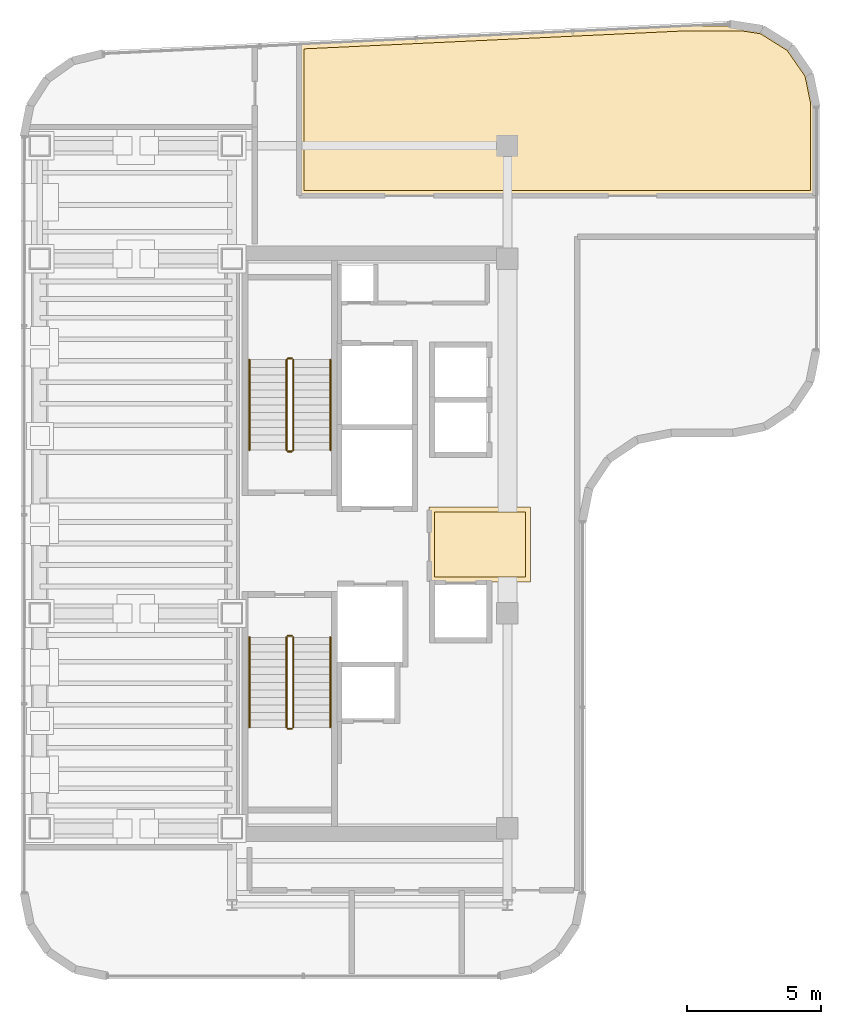
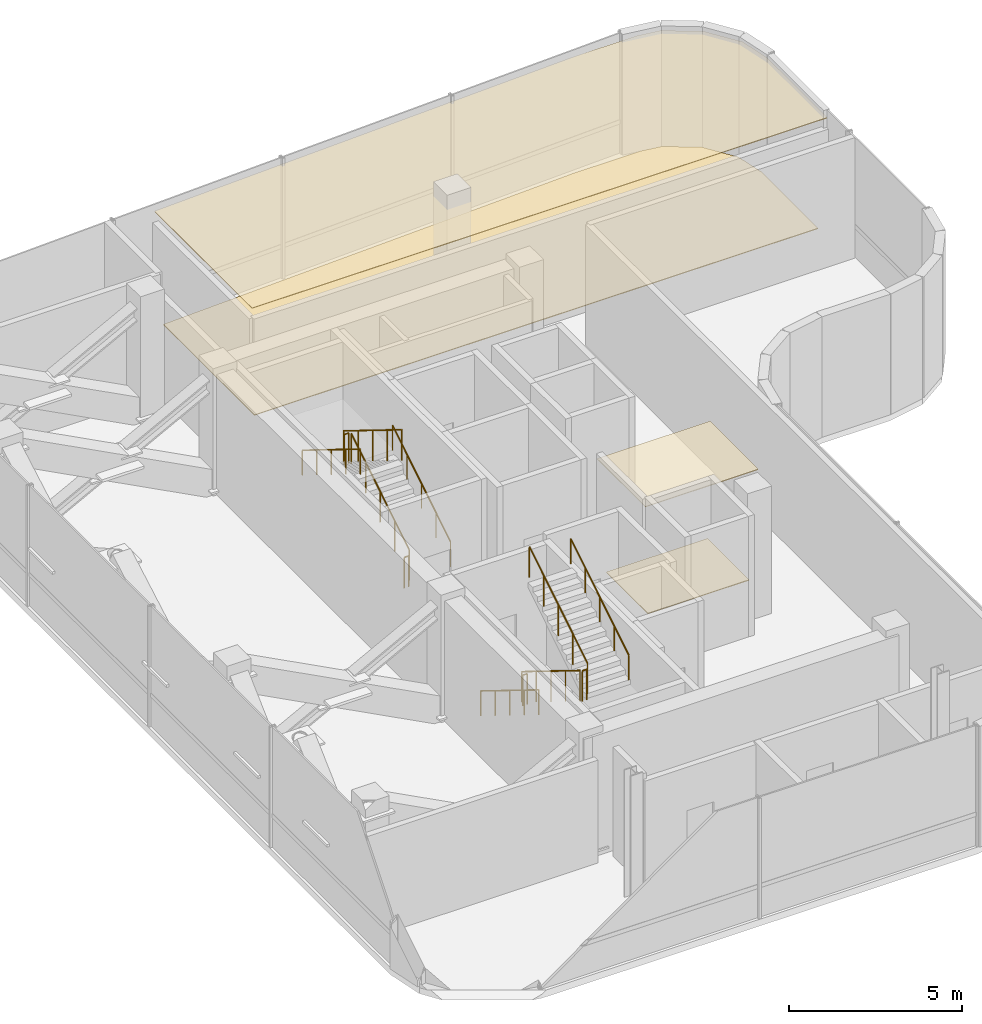
# One storey, part 19 of 19: 12 railings, 4 coverings.
"""IFC4 building model written with IfcOpenShell, lengths in metres."""

from ifc_helpers import new_model, si_unit, direction, frame, origin, origin_2d, place, context, subcontext, project, spatial, polyline, circle, outline, extrude, material, layer, layer_set, type_object, element, save


model = new_model("IFC4")

# Units and contexts
model_context = context("Model", 3, precision=1e-05, world=origin(), true_north=direction((0.0, 1.0)))
body_context = subcontext(model_context, "Body", "Model", "MODEL_VIEW")
ifc_project = project(units=[si_unit("LENGTHUNIT", "METRE"), si_unit("AREAUNIT", "SQUARE_METRE"), si_unit("VOLUMEUNIT", "CUBIC_METRE"), si_unit("PLANEANGLEUNIT", "RADIAN"), si_unit("MASSUNIT", "GRAM", prefix="KILO")], contexts=[model_context])

# Site, building, storey
site_placement = place(None, origin())
site = spatial("IfcSite", under=ifc_project, at=site_placement, CompositionType="ELEMENT")
building_placement = place(site_placement, origin())
building = spatial("IfcBuilding", under=site, at=building_placement, Name="Valdorenza Pilgrim Sanctuary Tower", CompositionType="ELEMENT")
storey_placement = place(building_placement, frame((0.0, 0.0, 261.5)))
storey = spatial("IfcBuildingStorey", under=building, at=storey_placement, Name="L68", CompositionType="ELEMENT", Elevation=261.5)

# Coverings
ifc_material_1 = material(Name="Micro-perforated acoustic mineral ceiling tile", Category="gypsum")
ifc_layer_1 = layer(ifc_material_1, 0.02490234375, Name="Micro-perforated acoustic mineral ceiling tile")
ifc_layer_set_1 = layer_set([ifc_layer_1], Name="Micro-perforated acoustic mineral ceiling tile")
covering_type_1 = type_object("IfcCoveringType", Name="COV-CLG-ACU", PredefinedType="CEILING", material=ifc_layer_set_1)
covering_1_placement = place(storey_placement, frame((0.0, 0.0, 3.9599609375)))
element("IfcCovering", 1, at=covering_1_placement, inside=storey, type_object=covering_type_1, Name="L68 Core A Passenger Lift Lobby Acoustic Ceiling", PredefinedType="CEILING", context=body_context, shape_type="SweptSolid", body=[
    extrude(outline(polyline([(-15.31494140625, 1.35009765625), (-15.31494140625, 1.3515625), (-15.314697265625, 1.352783203125), (-15.314453125, 1.3544921875), (-15.31396484375, 1.355712890625), (-15.313232421875, 1.357177734375), (-15.3125, 1.3583984375), (-15.3115234375, 1.359619140625), (-15.310546875, 1.360595703125), (-15.3095703125, 1.361572265625), (-15.308349609375, 1.362548828125), (-15.30712890625, 1.36328125), (-15.3056640625, 1.364013671875), (-15.304443359375, 1.364501953125), (-15.302978515625, 1.36474609375), (-15.301513671875, 1.364990234375), (-15.300048828125, 1.364990234375), (-11.550048828125, 1.364990234375), (-11.548583984375, 1.364990234375), (-11.547119140625, 1.36474609375), (-11.545654296875, 1.364501953125), (-11.544189453125, 1.364013671875), (-11.54296875, 1.36328125), (-11.541748046875, 1.362548828125), (-11.54052734375, 1.361572265625), (-11.539306640625, 1.360595703125), (-11.538330078125, 1.359619140625), (-11.53759765625, 1.3583984375), (-11.536865234375, 1.357177734375), (-11.5361328125, 1.355712890625), (-11.53564453125, 1.3544921875), (-11.535400390625, 1.352783203125), (-11.53515625, 1.3515625), (-11.534912109375, 1.35009765625), (-11.534912109375, -1.419921875), (-11.53515625, -1.42138671875), (-11.535400390625, -1.4228515625), (-11.53564453125, -1.42431640625), (-11.5361328125, -1.42578125), (-11.536865234375, -1.427001953125), (-11.53759765625, -1.42822265625), (-11.538330078125, -1.429443359375), (-11.539306640625, -1.4306640625), (-11.54052734375, -1.431640625), (-11.541748046875, -1.4326171875), (-11.54296875, -1.43310546875), (-11.544189453125, -1.433837890625), (-11.545654296875, -1.434326171875), (-11.547119140625, -1.434814453125), (-11.548583984375, -1.434814453125), (-11.550048828125, -1.43505859375), (-15.298095703125, -1.43505859375), (-15.299560546875, -1.434814453125), (-15.30078125, -1.434814453125), (-15.302490234375, -1.434326171875), (-15.3037109375, -1.433837890625), (-15.30517578125, -1.43310546875), (-15.306396484375, -1.4326171875), (-15.3076171875, -1.431640625), (-15.30859375, -1.4306640625), (-15.3095703125, -1.429443359375), (-15.310546875, -1.42822265625), (-15.311279296875, -1.427001953125), (-15.31201171875, -1.42578125), (-15.3125, -1.42431640625), (-15.312744140625, -1.4228515625), (-15.31298828125, -1.42138671875), (-15.31298828125, -1.419921875), (-15.31298828125, 1.244384765625), (-15.31298828125, 1.24462890625), (-15.313720703125, 1.24609375), (-15.314208984375, 1.24755859375), (-15.314697265625, 1.2490234375), (-15.31494140625, 1.25048828125), (-15.31494140625, 1.251953125), (-15.31494140625, 1.35009765625)])), origin(), (0.0, 0.0, 1.0), 0.025146484375),
])
covering_2_placement = place(storey_placement, frame((0.0, 0.0, 3.9599609375)))
element("IfcCovering", 2, at=covering_2_placement, inside=storey, type_object=covering_type_1, Name="L68 Primary Smokeproof Refuge Area Acoustic Ceiling", PredefinedType="CEILING", context=body_context, shape_type="SweptSolid", body=[
    extrude(outline(polyline([(-20.14990234375, 12.93505859375), (-20.151611328125, 12.93505859375), (-20.15283203125, 12.935302734375), (-20.154296875, 12.935546875), (-20.15576171875, 12.93603515625), (-20.156982421875, 12.936767578125), (-20.158203125, 12.9375), (-20.159423828125, 12.9384765625), (-20.16064453125, 12.939453125), (-20.16162109375, 12.9404296875), (-20.16259765625, 12.941650390625), (-20.1630859375, 12.94287109375), (-20.163818359375, 12.9443359375), (-20.164306640625, 12.945556640625), (-20.164794921875, 12.947021484375), (-20.164794921875, 12.948486328125), (-20.1650390625, 12.949951171875), (-20.1650390625, 18.57763671875), (-20.164794921875, 18.5791015625), (-20.164794921875, 18.58056640625), (-20.164306640625, 18.58203125), (-20.163818359375, 18.583251953125), (-20.163330078125, 18.584716796875), (-20.16259765625, 18.5859375), (-20.161865234375, 18.5869140625), (-20.160888671875, 18.588134765625), (-20.159912109375, 18.589111328125), (-20.15869140625, 18.590087890625), (-20.157470703125, 18.5908203125), (-20.15625, 18.59130859375), (-20.15478515625, 18.591796875), (-20.153564453125, 18.59228515625), (-20.152099609375, 18.592529296875), (-20.150634765625, 18.5927734375), (-5.890380859375, 19.264892578125), (-5.8896484375, 19.264892578125), (-3.634521484375, 19.264892578125), (-3.63330078125, 19.264892578125), (-3.632080078125, 19.264892578125), (-2.91748046875, 19.153076171875), (-2.916015625, 19.152587890625), (-2.91455078125, 19.15234375), (-2.9130859375, 19.151611328125), (-2.911865234375, 19.15087890625), (-1.860595703125, 18.492431640625), (-1.859619140625, 18.49169921875), (-1.8583984375, 18.490478515625), (-1.857421875, 18.489501953125), (-1.8564453125, 18.48828125), (-1.149169921875, 17.46923828125), (-1.148193359375, 17.468017578125), (-1.147705078125, 17.466552734375), (-1.147216796875, 17.465087890625), (-1.146728515625, 17.463623046875), (-0.935302734375, 16.4326171875), (-0.93505859375, 16.430908203125), (-0.93505859375, 16.429443359375), (-0.93505859375, 12.949951171875), (-0.93505859375, 12.948486328125), (-0.935302734375, 12.947021484375), (-0.935546875, 12.945556640625), (-0.93603515625, 12.9443359375), (-0.936767578125, 12.94287109375), (-0.9375, 12.941650390625), (-0.9384765625, 12.9404296875), (-0.939453125, 12.939453125), (-0.9404296875, 12.9384765625), (-0.941650390625, 12.9375), (-0.94287109375, 12.936767578125), (-0.9443359375, 12.93603515625), (-0.945556640625, 12.935546875), (-0.947021484375, 12.935302734375), (-0.948486328125, 12.93505859375), (-0.949951171875, 12.93505859375), (-20.14990234375, 12.93505859375)])), origin(), (0.0, 0.0, 1.0), 0.025146484375),
])
ifc_material_2 = material(Name="Honed travertine stone flooring", Category="masonry")
ifc_layer_2 = layer(ifc_material_2, 0.030029296875, Name="Honed travertine stone flooring")
ifc_layer_set_2 = layer_set([ifc_layer_2], Name="Honed travertine stone flooring")
covering_type_2 = type_object("IfcCoveringType", Name="COV-FLR-TRV", PredefinedType="FLOORING", material=ifc_layer_set_2)
covering_3_placement = place(storey_placement, origin())
element("IfcCovering", 3, at=covering_3_placement, inside=storey, type_object=covering_type_2, Name="L68 Core A Passenger Lift Lobby Flooring", PredefinedType="FLOORING", context=body_context, shape_type="SweptSolid", body=[
    extrude(outline(polyline([(-15.117919921875, 1.169921875), (-11.72998046875, 1.169921875), (-11.72998046875, -1.239990234375), (-15.117919921875, -1.239990234375), (-15.117919921875, 1.169921875)])), origin(), (0.0, 0.0, 1.0), 0.02490234375),
])
covering_4_placement = place(storey_placement, origin())
element("IfcCovering", 4, at=covering_4_placement, inside=storey, type_object=covering_type_2, Name="L68 Primary Smokeproof Refuge Area Flooring", PredefinedType="FLOORING", context=body_context, shape_type="SweptSolid", body=[
    extrude(outline(polyline([(-19.969970703125, 13.1298828125), (-19.969970703125, 18.406005859375), (-5.885498046875, 19.070068359375), (-3.6484375, 19.070068359375), (-2.984130859375, 18.966064453125), (-1.99560546875, 18.3466796875), (-1.330322265625, 17.388427734375), (-1.1298828125, 16.411376953125), (-1.1298828125, 13.1298828125), (-19.969970703125, 13.1298828125)])), origin(), (0.0, 0.0, 1.0), 0.02490234375),
])

# Railings
ifc_material_3 = material(Name="Stainless steel Grade 316", Category="steel")
railing_type_1 = type_object("IfcRailingType", Name="RLG-GRD-1120", PredefinedType="GUARDRAIL", material=ifc_material_3)
railing_1_placement = place(storey_placement, frame((-20.3701171875, 3.47998046875, 0.173095703125)))
element("IfcRailing", 5, at=railing_1_placement, inside=storey, type_object=railing_type_1, Name="L68 ST-A1 stair guard 1", PredefinedType="GUARDRAIL", context=body_context, shape_type="SweptSolid", body=[
    extrude(circle(Radius=0.02392578125, at=origin_2d()), frame((0.0, 0.0, 1.076171875), z_axis=(0.0, 0.850623216509, 0.525775754039), x_axis=(-1.0, 0.0, 0.0)), (0.0, 0.0, 1.0), 3.9501953125),
    extrude(circle(Radius=0.02099609375, at=origin_2d()), origin(), (0.0, 0.0, 1.0), 1.052001953125),
    extrude(circle(Radius=0.02099609375, at=origin_2d()), frame((0.0, 0.840087890625, 0.519287109375)), (0.0, 0.0, 1.0), 1.052001953125),
    extrude(circle(Radius=0.02099609375, at=origin_2d()), frame((0.0, 1.68017578125, 1.03857421875)), (0.0, 0.0, 1.0), 1.052001953125),
    extrude(circle(Radius=0.02099609375, at=origin_2d()), frame((0.0, 2.52001953125, 1.5576171875)), (0.0, 0.0, 1.0), 1.052001953125),
    extrude(circle(Radius=0.02099609375, at=origin_2d()), frame((0.0, 3.360107421875, 2.076904296875)), (0.0, 0.0, 1.0), 1.052001953125),
])
railing_2_placement = place(storey_placement, frame((-20.419921875, 6.889892578125, 2.25)))
element("IfcRailing", 6, at=railing_2_placement, inside=storey, type_object=railing_type_1, Name="L68 ST-A1 stair guard 2", PredefinedType="GUARDRAIL", context=body_context, shape_type="SweptSolid", body=[
    extrude(circle(Radius=0.02392578125, at=origin_2d()), frame((0.0, 0.0, 1.076171875), z_axis=(-1.0, 0.0, 0.0), x_axis=(0.0, -1.0, 0.0)), (0.0, 0.0, 1.0), 0.150146484375),
    extrude(circle(Radius=0.02099609375, at=origin_2d()), origin(), (0.0, 0.0, 1.0), 1.052001953125),
    extrude(circle(Radius=0.02099609375, at=origin_2d()), frame((-0.150146484375, 0.0, 0.0)), (0.0, 0.0, 1.0), 1.052001953125),
])
railing_3_placement = place(storey_placement, frame((-20.6201171875, 6.840087890625, 2.423095703125)))
element("IfcRailing", 7, at=railing_3_placement, inside=storey, type_object=railing_type_1, Name="L68 ST-A1 stair guard 3", PredefinedType="GUARDRAIL", context=body_context, shape_type="SweptSolid", body=[
    extrude(circle(Radius=0.02392578125, at=origin_2d()), frame((0.0, 0.0, 1.076171875), z_axis=(0.0, -0.850623216509, 0.525775754039), x_axis=(1.0, 0.0, 0.0)), (0.0, 0.0, 1.0), 3.9501953125),
    extrude(circle(Radius=0.02099609375, at=origin_2d()), origin(), (0.0, 0.0, 1.0), 1.052001953125),
    extrude(circle(Radius=0.02099609375, at=origin_2d()), frame((0.0, -0.840087890625, 0.519287109375)), (0.0, 0.0, 1.0), 1.052001953125),
    extrude(circle(Radius=0.02099609375, at=origin_2d()), frame((0.0, -1.68017578125, 1.03857421875)), (0.0, 0.0, 1.0), 1.052001953125),
    extrude(circle(Radius=0.02099609375, at=origin_2d()), frame((0.0, -2.52001953125, 1.5576171875)), (0.0, 0.0, 1.0), 1.052001953125),
    extrude(circle(Radius=0.02099609375, at=origin_2d()), frame((0.0, -3.360107421875, 2.076904296875)), (0.0, 0.0, 1.0), 1.052001953125),
])
railing_4_placement = place(storey_placement, frame((-20.419921875, 3.429931640625, 0.0)))
element("IfcRailing", 8, at=railing_4_placement, inside=storey, type_object=railing_type_1, Name="L68 ST-A1 stair guard 4", PredefinedType="GUARDRAIL", context=body_context, shape_type="SweptSolid", body=[
    extrude(circle(Radius=0.02392578125, at=origin_2d()), frame((0.0, 0.0, 1.076171875), z_axis=(-1.0, 0.0, 0.0), x_axis=(0.0, -1.0, 0.0)), (0.0, 0.0, 1.0), 0.150146484375),
    extrude(circle(Radius=0.02099609375, at=origin_2d()), origin(), (0.0, 0.0, 1.0), 1.052001953125),
    extrude(circle(Radius=0.02099609375, at=origin_2d()), frame((-0.150146484375, 0.0, 0.0)), (0.0, 0.0, 1.0), 1.052001953125),
])
railing_5_placement = place(storey_placement, frame((-20.6201171875, -3.47998046875, 0.173095703125)))
element("IfcRailing", 9, at=railing_5_placement, inside=storey, type_object=railing_type_1, Name="L68 ST-A2 stair guard 1", PredefinedType="GUARDRAIL", context=body_context, shape_type="SweptSolid", body=[
    extrude(circle(Radius=0.02392578125, at=origin_2d()), frame((0.0, 0.0, 1.076171875), z_axis=(0.0, -0.850623216509, 0.525775754039), x_axis=(1.0, 0.0, 0.0)), (0.0, 0.0, 1.0), 3.9501953125),
    extrude(circle(Radius=0.02099609375, at=origin_2d()), origin(), (0.0, 0.0, 1.0), 1.052001953125),
    extrude(circle(Radius=0.02099609375, at=origin_2d()), frame((0.0, -0.840087890625, 0.519287109375)), (0.0, 0.0, 1.0), 1.052001953125),
    extrude(circle(Radius=0.02099609375, at=origin_2d()), frame((0.0, -1.68017578125, 1.03857421875)), (0.0, 0.0, 1.0), 1.052001953125),
    extrude(circle(Radius=0.02099609375, at=origin_2d()), frame((0.0, -2.52001953125, 1.5576171875)), (0.0, 0.0, 1.0), 1.052001953125),
    extrude(circle(Radius=0.02099609375, at=origin_2d()), frame((0.0, -3.360107421875, 2.076904296875)), (0.0, 0.0, 1.0), 1.052001953125),
])
railing_6_placement = place(storey_placement, frame((-20.570068359375, -6.889892578125, 2.25)))
element("IfcRailing", 10, at=railing_6_placement, inside=storey, type_object=railing_type_1, Name="L68 ST-A2 stair guard 2", PredefinedType="GUARDRAIL", context=body_context, shape_type="SweptSolid", body=[
    extrude(circle(Radius=0.02392578125, at=origin_2d()), frame((0.0, 0.0, 1.076171875), z_axis=(1.0, 0.0, 0.0), x_axis=(0.0, 1.0, 0.0)), (0.0, 0.0, 1.0), 0.150146484375),
    extrude(circle(Radius=0.02099609375, at=origin_2d()), origin(), (0.0, 0.0, 1.0), 1.052001953125),
    extrude(circle(Radius=0.02099609375, at=origin_2d()), frame((0.150146484375, 0.0, 0.0)), (0.0, 0.0, 1.0), 1.052001953125),
])
railing_7_placement = place(storey_placement, frame((-20.3701171875, -6.840087890625, 2.423095703125)))
element("IfcRailing", 11, at=railing_7_placement, inside=storey, type_object=railing_type_1, Name="L68 ST-A2 stair guard 3", PredefinedType="GUARDRAIL", context=body_context, shape_type="SweptSolid", body=[
    extrude(circle(Radius=0.02392578125, at=origin_2d()), frame((0.0, 0.0, 1.076171875), z_axis=(0.0, 0.850623216509, 0.525775754039), x_axis=(-1.0, 0.0, 0.0)), (0.0, 0.0, 1.0), 3.9501953125),
    extrude(circle(Radius=0.02099609375, at=origin_2d()), origin(), (0.0, 0.0, 1.0), 1.052001953125),
    extrude(circle(Radius=0.02099609375, at=origin_2d()), frame((0.0, 0.840087890625, 0.519287109375)), (0.0, 0.0, 1.0), 1.052001953125),
    extrude(circle(Radius=0.02099609375, at=origin_2d()), frame((0.0, 1.68017578125, 1.03857421875)), (0.0, 0.0, 1.0), 1.052001953125),
    extrude(circle(Radius=0.02099609375, at=origin_2d()), frame((0.0, 2.52001953125, 1.5576171875)), (0.0, 0.0, 1.0), 1.052001953125),
    extrude(circle(Radius=0.02099609375, at=origin_2d()), frame((0.0, 3.360107421875, 2.076904296875)), (0.0, 0.0, 1.0), 1.052001953125),
])
railing_8_placement = place(storey_placement, frame((-20.570068359375, -3.429931640625, 0.0)))
element("IfcRailing", 12, at=railing_8_placement, inside=storey, type_object=railing_type_1, Name="L68 ST-A2 stair guard 4", PredefinedType="GUARDRAIL", context=body_context, shape_type="SweptSolid", body=[
    extrude(circle(Radius=0.02392578125, at=origin_2d()), frame((0.0, 0.0, 1.076171875), z_axis=(1.0, 0.0, 0.0), x_axis=(0.0, 1.0, 0.0)), (0.0, 0.0, 1.0), 0.150146484375),
    extrude(circle(Radius=0.02099609375, at=origin_2d()), origin(), (0.0, 0.0, 1.0), 1.052001953125),
    extrude(circle(Radius=0.02099609375, at=origin_2d()), frame((0.150146484375, 0.0, 0.0)), (0.0, 0.0, 1.0), 1.052001953125),
])
ifc_material_4 = material(Name="Brushed stainless steel Grade 316", Category="steel")
railing_type_2 = type_object("IfcRailingType", Name="RLG-HND-920", PredefinedType="HANDRAIL", material=ifc_material_4)
railing_9_placement = place(storey_placement, frame((-18.989990234375, 3.47998046875, 0.173095703125)))
element("IfcRailing", 13, at=railing_9_placement, inside=storey, type_object=railing_type_2, Name="L68 ST-A1 stair handrail 1", PredefinedType="HANDRAIL", context=body_context, shape_type="SweptSolid", body=[
    extrude(circle(Radius=0.02392578125, at=origin_2d()), frame((0.0, 0.0, 0.8759765625), z_axis=(0.0, 0.850623216509, 0.525775754039), x_axis=(-1.0, 0.0, 0.0)), (0.0, 0.0, 1.0), 3.9501953125),
    extrude(circle(Radius=0.02099609375, at=origin_2d()), origin(), (0.0, 0.0, 1.0), 0.851806640625),
    extrude(circle(Radius=0.02099609375, at=origin_2d()), frame((0.0, 0.840087890625, 0.519287109375)), (0.0, 0.0, 1.0), 0.851806640625),
    extrude(circle(Radius=0.02099609375, at=origin_2d()), frame((0.0, 1.68017578125, 1.03857421875)), (0.0, 0.0, 1.0), 0.851806640625),
    extrude(circle(Radius=0.02099609375, at=origin_2d()), frame((0.0, 2.52001953125, 1.5576171875)), (0.0, 0.0, 1.0), 0.851806640625),
    extrude(circle(Radius=0.02099609375, at=origin_2d()), frame((0.0, 3.360107421875, 2.076904296875)), (0.0, 0.0, 1.0), 0.851806640625),
])
for number, where, name in (
    (14, (-22.0, 6.840087890625, 2.423095703125), "L68 ST-A1 stair handrail 2"),
    (15, (-22.0, -3.47998046875, 0.173095703125), "L68 ST-A2 stair handrail 1"),
):
    element("IfcRailing", number, at=place(storey_placement, frame(where)), inside=storey, type_object=railing_type_2, Name=name, PredefinedType="HANDRAIL", context=body_context, shape_type="SweptSolid", body=[
        extrude(circle(Radius=0.02392578125, at=origin_2d()), frame((0.0, 0.0, 0.8759765625), z_axis=(0.0, -0.850623216509, 0.525775754039), x_axis=(1.0, 0.0, 0.0)), (0.0, 0.0, 1.0), 3.9501953125),
        extrude(circle(Radius=0.02099609375, at=origin_2d()), origin(), (0.0, 0.0, 1.0), 0.851806640625),
        extrude(circle(Radius=0.02099609375, at=origin_2d()), frame((0.0, -0.840087890625, 0.519287109375)), (0.0, 0.0, 1.0), 0.851806640625),
        extrude(circle(Radius=0.02099609375, at=origin_2d()), frame((0.0, -1.68017578125, 1.03857421875)), (0.0, 0.0, 1.0), 0.851806640625),
        extrude(circle(Radius=0.02099609375, at=origin_2d()), frame((0.0, -2.52001953125, 1.5576171875)), (0.0, 0.0, 1.0), 0.851806640625),
        extrude(circle(Radius=0.02099609375, at=origin_2d()), frame((0.0, -3.360107421875, 2.076904296875)), (0.0, 0.0, 1.0), 0.851806640625),
    ])
railing_10_placement = place(storey_placement, frame((-18.989990234375, -6.840087890625, 2.423095703125)))
element("IfcRailing", 16, at=railing_10_placement, inside=storey, type_object=railing_type_2, Name="L68 ST-A2 stair handrail 2", PredefinedType="HANDRAIL", context=body_context, shape_type="SweptSolid", body=[
    extrude(circle(Radius=0.02392578125, at=origin_2d()), frame((0.0, 0.0, 0.8759765625), z_axis=(0.0, 0.850623216509, 0.525775754039), x_axis=(-1.0, 0.0, 0.0)), (0.0, 0.0, 1.0), 3.9501953125),
    extrude(circle(Radius=0.02099609375, at=origin_2d()), origin(), (0.0, 0.0, 1.0), 0.851806640625),
    extrude(circle(Radius=0.02099609375, at=origin_2d()), frame((0.0, 0.840087890625, 0.519287109375)), (0.0, 0.0, 1.0), 0.851806640625),
    extrude(circle(Radius=0.02099609375, at=origin_2d()), frame((0.0, 1.68017578125, 1.03857421875)), (0.0, 0.0, 1.0), 0.851806640625),
    extrude(circle(Radius=0.02099609375, at=origin_2d()), frame((0.0, 2.52001953125, 1.5576171875)), (0.0, 0.0, 1.0), 0.851806640625),
    extrude(circle(Radius=0.02099609375, at=origin_2d()), frame((0.0, 3.360107421875, 2.076904296875)), (0.0, 0.0, 1.0), 0.851806640625),
])

save(model, "model.ifc")
